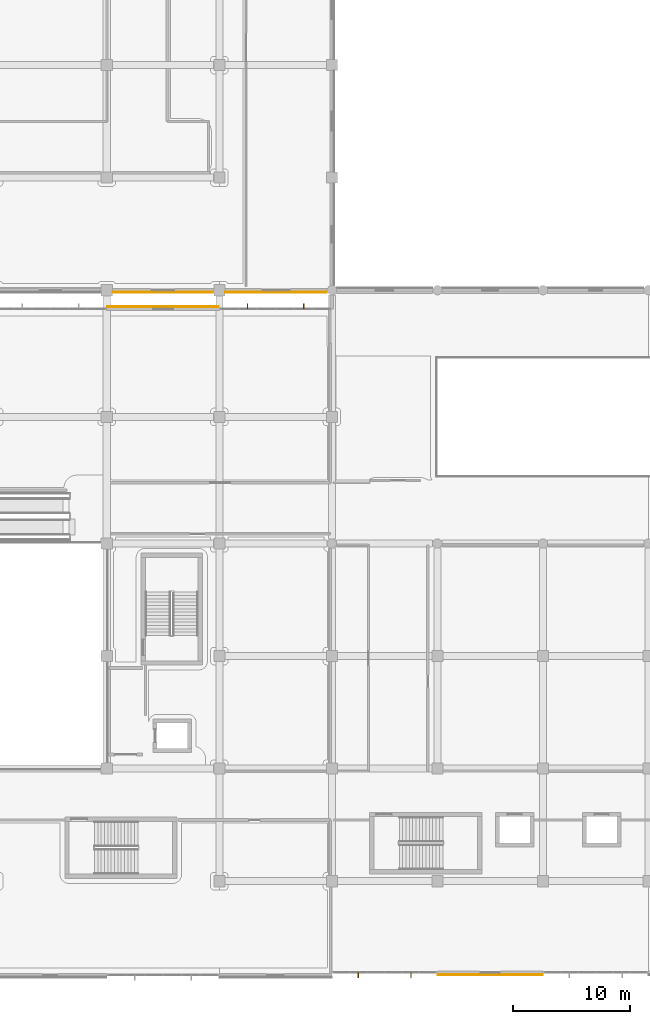
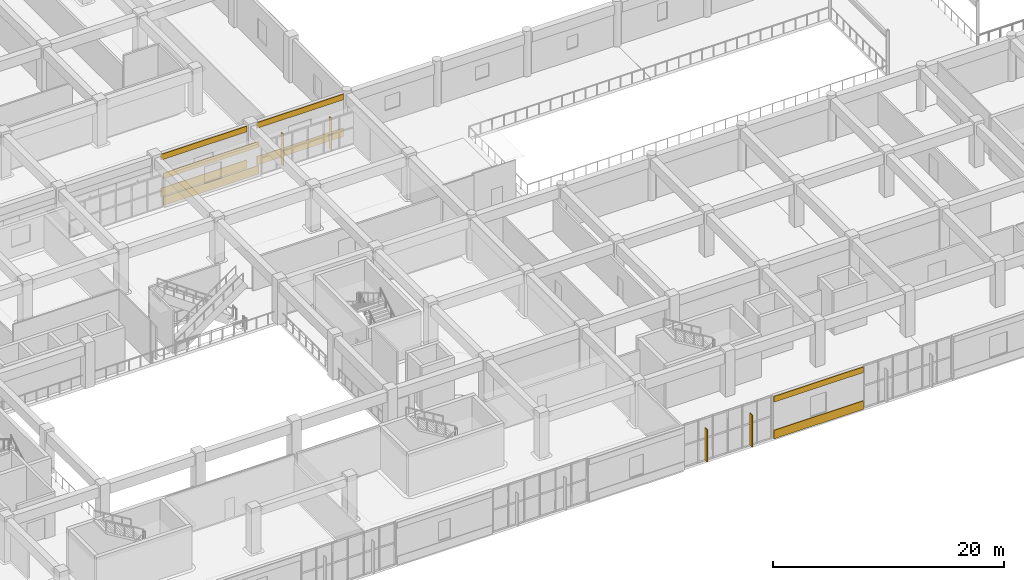
# One storey, part 73 of 86: 8 coverings, 4 shading devices.
"""IFC4 building model written with IfcOpenShell, lengths in metres."""

from ifc_helpers import new_model, si_unit, direction, frame, origin, origin_2d, place, context, subcontext, project, spatial, rectangle, extrude, material, layer, layer_set, type_object, element, save


model = new_model("IFC4")

# Units and contexts
model_context = context("Model", 3, precision=1e-05, world=origin(), true_north=direction((0.0, 1.0)))
body_context = subcontext(model_context, "Body", "Model", "MODEL_VIEW")
ifc_project = project(units=[si_unit("LENGTHUNIT", "METRE"), si_unit("AREAUNIT", "SQUARE_METRE"), si_unit("VOLUMEUNIT", "CUBIC_METRE"), si_unit("PLANEANGLEUNIT", "RADIAN"), si_unit("MASSUNIT", "GRAM", prefix="KILO")], contexts=[model_context])

# Site, building, storey
site_placement = place(None, origin())
site = spatial("IfcSite", under=ifc_project, at=site_placement, CompositionType="ELEMENT")
building_placement = place(site_placement, origin())
building = spatial("IfcBuilding", under=site, at=building_placement, Name="Cendralis Terraced Arcade", CompositionType="ELEMENT")
storey_placement = place(building_placement, frame((0.0, 0.0, 5.39990234375)))
storey = spatial("IfcBuildingStorey", under=building, at=storey_placement, Name="L01", CompositionType="ELEMENT", Elevation=5.39990234375)

# Coverings
ifc_material_1 = material(Name="Precast concrete f'c 40 MPa", Category="concrete")
ifc_layer = layer(ifc_material_1, 0.06494140625, Name="COV-CLAD-GRC-65")
ifc_layer_set = layer_set([ifc_layer], Name="Precast concrete f'c 40 MPa")
covering_type = type_object("IfcCoveringType", Name="COV-CLAD-GRC-65", PredefinedType="CLADDING", material=ifc_layer_set)
covering_1_placement = place(storey_placement, frame((62.4375, 59.820068359375, 0.000244140625), z_axis=(0.0, 0.0, 1.0), x_axis=(-1.0, 0.0, 0.0)))
element("IfcCovering", 1, at=covering_1_placement, inside=storey, type_object=covering_type, Name="Banded Precast Stone Spandrel Cladding L01-109", PredefinedType="CLADDING", context=body_context, shape_type="SweptSolid", body=[
    extrude(rectangle(XDim=8.6689453125, YDim=0.06494140625, at=origin_2d()), origin(), (0.0, 0.0, 1.0), 0.89990234375),
])
covering_2_placement = place(storey_placement, frame((62.4375, 59.820068359375, 3.885009765625), z_axis=(0.0, 0.0, 1.0), x_axis=(-1.0, 0.0, 0.0)))
element("IfcCovering", 2, at=covering_2_placement, inside=storey, type_object=covering_type, Name="Banded Precast Stone Lintel Cladding L01-110", PredefinedType="CLADDING", context=body_context, shape_type="SweptSolid", body=[
    extrude(rectangle(XDim=8.6689453125, YDim=0.06494140625, at=origin_2d()), origin(), (0.0, 0.0, 1.0), 0.60009765625),
])
covering_3_placement = place(storey_placement, frame((52.800048828125, 59.820068359375, 0.000244140625), z_axis=(0.0, 0.0, 1.0), x_axis=(-1.0, 0.0, 0.0)))
element("IfcCovering", 3, at=covering_3_placement, inside=storey, type_object=covering_type, Name="Banded Precast Stone Spandrel Cladding L01-111", PredefinedType="CLADDING", context=body_context, shape_type="SweptSolid", body=[
    extrude(rectangle(XDim=8.593994140625, YDim=0.06494140625, at=origin_2d()), origin(), (0.0, 0.0, 1.0), 0.89990234375),
])
covering_4_placement = place(storey_placement, frame((52.800048828125, 59.820068359375, 3.885009765625), z_axis=(0.0, 0.0, 1.0), x_axis=(-1.0, 0.0, 0.0)))
element("IfcCovering", 4, at=covering_4_placement, inside=storey, type_object=covering_type, Name="Banded Precast Stone Lintel Cladding L01-112", PredefinedType="CLADDING", context=body_context, shape_type="SweptSolid", body=[
    extrude(rectangle(XDim=8.593994140625, YDim=0.06494140625, at=origin_2d()), origin(), (0.0, 0.0, 1.0), 0.60009765625),
])
covering_5_placement = place(storey_placement, frame((80.699951171875, 1.625, 0.000244140625), z_axis=(0.0, 0.0, 1.0), x_axis=(-1.0, 0.0, 0.0)))
element("IfcCovering", 5, at=covering_5_placement, inside=storey, type_object=covering_type, Name="Banded Precast Stone Spandrel Cladding L01-175", PredefinedType="CLADDING", context=body_context, shape_type="SweptSolid", body=[
    extrude(rectangle(XDim=8.93994140625, YDim=0.06494140625, at=origin_2d()), origin(), (0.0, 0.0, 1.0), 0.89990234375),
])
covering_6_placement = place(storey_placement, frame((80.699951171875, 1.625, 3.885009765625), z_axis=(0.0, 0.0, 1.0), x_axis=(-1.0, 0.0, 0.0)))
element("IfcCovering", 6, at=covering_6_placement, inside=storey, type_object=covering_type, Name="Banded Precast Stone Lintel Cladding L01-176", PredefinedType="CLADDING", context=body_context, shape_type="SweptSolid", body=[
    extrude(rectangle(XDim=8.93994140625, YDim=0.06494140625, at=origin_2d()), origin(), (0.0, 0.0, 1.0), 0.60009765625),
])
covering_7_placement = place(storey_placement, frame((52.800048828125, 58.580078125, 0.000244140625), z_axis=(0.0, 0.0, 1.0), x_axis=(1.0, 0.0, 0.0)))
element("IfcCovering", 7, at=covering_7_placement, inside=storey, type_object=covering_type, Name="Banded Precast Stone Spandrel Cladding L01-193", PredefinedType="CLADDING", context=body_context, shape_type="SweptSolid", body=[
    extrude(rectangle(XDim=9.5400390625, YDim=0.06494140625, at=origin_2d()), origin(), (0.0, 0.0, 1.0), 0.89990234375),
])
covering_8_placement = place(storey_placement, frame((52.800048828125, 58.580078125, 2.824951171875), z_axis=(0.0, 0.0, 1.0), x_axis=(1.0, 0.0, 0.0)))
element("IfcCovering", 8, at=covering_8_placement, inside=storey, type_object=covering_type, Name="Banded Precast Stone Lintel Cladding L01-194", PredefinedType="CLADDING", context=body_context, shape_type="SweptSolid", body=[
    extrude(rectangle(XDim=9.5400390625, YDim=0.06494140625, at=origin_2d()), origin(), (0.0, 0.0, 1.0), 0.60009765625),
])

# Shading devices
ifc_material_2 = material(Name="Anodised aluminium EN AW-6063 T6", Category="aluminium")
shading_device_type = type_object("IfcShadingDeviceType", Name="SHD-FIN-420", PredefinedType="USERDEFINED", material=ifc_material_2)
for number, where, z_axis, x_axis, name in (
    (9, (73.949951171875, 1.5849609375, 0.050048828125), (0.0, 0.0, 1.0), (-1.0, 0.0, 0.0), "Parametric Vertical Solar Fin FIN-L01-021"),
    (10, (69.449951171875, 1.5849609375, 0.050048828125), (0.0, 0.0, 1.0), (-1.0, 0.0, 0.0), "Parametric Vertical Solar Fin FIN-L01-022"),
):
    element("IfcShadingDevice", number, at=place(storey_placement, frame(where, z_axis=z_axis, x_axis=x_axis)), inside=storey, type_object=shading_device_type, Name=name, ObjectType="FIN", PredefinedType="USERDEFINED", context=body_context, shape_type="SweptSolid", body=[
        extrude(rectangle(XDim=0.074951171875, YDim=0.419921875, at=origin_2d()), origin(), (0.0, 0.0, 1.0), 3.39990234375),
    ])
for number, where, z_axis, x_axis, name in (
    (11, (60.0, 58.614990234375, 0.05029296875), (0.0, 0.0, 1.0), (1.0, 0.0, 0.0), "Parametric Vertical Solar Fin FIN-L01-037"),
    (12, (64.800048828125, 58.614990234375, 0.05029296875), (0.0, 0.0, 1.0), (1.0, 0.0, 0.0), "Parametric Vertical Solar Fin FIN-L01-038"),
):
    element("IfcShadingDevice", number, at=place(storey_placement, frame(where, z_axis=z_axis, x_axis=x_axis)), inside=storey, type_object=shading_device_type, Name=name, ObjectType="FIN", PredefinedType="USERDEFINED", context=body_context, shape_type="SweptSolid", body=[
        extrude(rectangle(XDim=0.074951171875, YDim=0.419921875, at=origin_2d()), origin(), (0.0, 0.0, 1.0), 3.344970703125),
    ])

save(model, "model.ifc")
